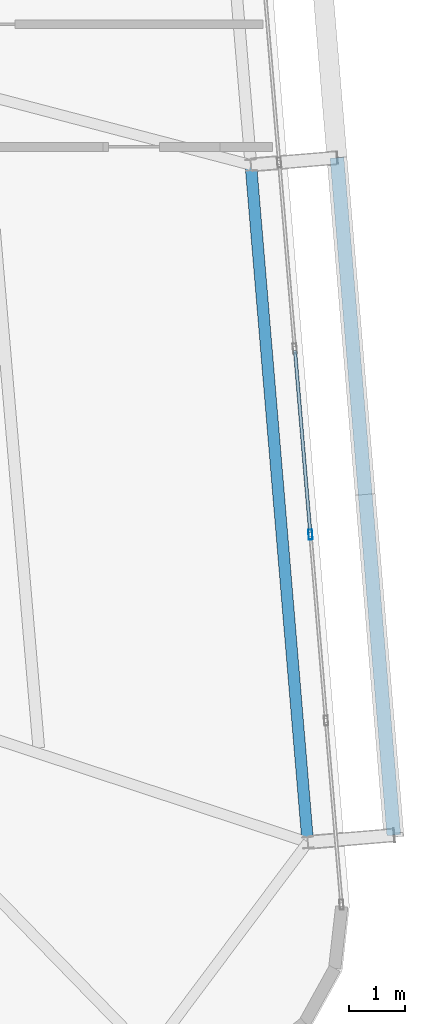
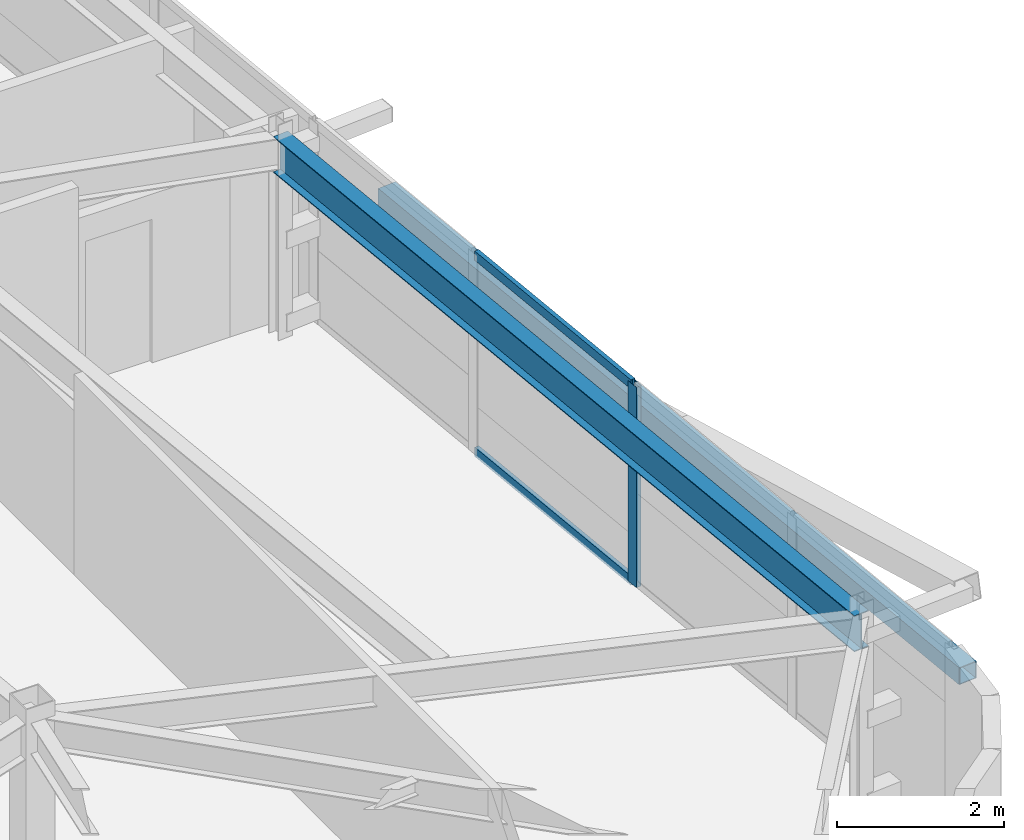
# One storey, part 23 of 46: 4 members, 1 beam, 1 element without a shape of its own.
"""IFC4 building model written with IfcOpenShell, lengths in metres."""

import ifcopenshell
import ifcopenshell.guid

model = None  # the IFC model being written
_history = None  # IfcOwnerHistory: only IFC2X3 demands one
_inside = {}  # id of a spatial element -> (the spatial element, [elements in it])
_under = {}  # id of a project, library or spatial element -> (it, [spatial elements below it])
_declared = {}  # id of a project -> (the project, [libraries it declares])
_typed = {}  # id of a type object -> (the type object, [elements of that type])
_made_of = {}  # id of a material, layer set ... -> (it, [elements and type objects made of it])


def new_model(schema):
    """Start an empty IFC model of exactly this schema.

    Asked for "IFC4X3", IfcOpenShell would pick the latest addendum, in which some entities
    have other attributes; the version numbers below select the first issue.
    IFC2X3 requires an IfcOwnerHistory on every rooted entity: one is made here for all.
    """
    global model, _history
    if schema == "IFC4X3":
        model = ifcopenshell.file(schema_version=(4, 3, 0, 0))
    else:
        model = ifcopenshell.file(schema=schema)
    _inside.clear()
    _under.clear()
    _declared.clear()
    _typed.clear()
    _made_of.clear()
    _history = None
    if model.schema == "IFC2X3":
        org = make("IfcOrganization", Name="unknown")
        user = make(
            "IfcPersonAndOrganization",
            ThePerson=make("IfcPerson", FamilyName="unknown"),
            TheOrganization=org,
        )
        app = make(
            "IfcApplication",
            ApplicationDeveloper=org,
            Version="unknown",
            ApplicationFullName="unknown",
            ApplicationIdentifier="unknown",
        )
        _history = make(
            "IfcOwnerHistory",
            OwningUser=user,
            OwningApplication=app,
            ChangeAction="ADDED",
            CreationDate=0,
        )
    return model


def make(cls, **values):
    """One entity of the class cls with the attributes given. An attribute that is None is left unset."""
    return model.create_entity(
        cls, **{name: value for name, value in values.items() if value is not None}
    )


def rooted(cls, **values):
    """An entity with a GlobalId (a new one), such as an element, a storey or a relation."""
    return make(cls, GlobalId=ifcopenshell.guid.new(), OwnerHistory=_history, **values)


def si_unit(unit_type, name, prefix=None):
    """IfcSIUnit, for example si_unit("LENGTHUNIT", "METRE", prefix="MILLI")."""
    return make("IfcSIUnit", UnitType=unit_type, Prefix=prefix, Name=name)


def assignment(units):
    """IfcUnitAssignment: the units of a project."""
    return None if units is None else make("IfcUnitAssignment", Units=units)


def point(xyz):
    """IfcCartesianPoint."""
    return None if xyz is None else make("IfcCartesianPoint", Coordinates=xyz)


def direction(xyz):
    """IfcDirection."""
    return None if xyz is None else make("IfcDirection", DirectionRatios=xyz)


def frame(location, z_axis=None, x_axis=None):
    """IfcAxis2Placement3D, a coordinate frame: its origin and axes. An axis left out is left unset."""
    return make(
        "IfcAxis2Placement3D",
        Location=point(location),
        Axis=direction(z_axis),
        RefDirection=direction(x_axis),
    )


def frame_2d(location, x_axis=None):
    """IfcAxis2Placement2D, a coordinate frame in the plane: its origin and x axis."""
    return make(
        "IfcAxis2Placement2D", Location=point(location), RefDirection=direction(x_axis)
    )


def origin():
    """The frame at (0, 0, 0) with its axes left unset."""
    return frame((0.0, 0.0, 0.0))


def origin_2d():
    """The frame at (0, 0) in the plane with its x axis left unset."""
    return frame_2d((0.0, 0.0))


def place(relative_to, where):
    """IfcLocalPlacement: puts the frame where relative to a parent placement (None: the world)."""
    return make(
        "IfcLocalPlacement", PlacementRelTo=relative_to, RelativePlacement=where
    )


def context(
    kind, dimensions, precision=None, world=None, true_north=None, identifier=None
):
    """IfcGeometricRepresentationContext, for example the 3D "Model" context."""
    return make(
        "IfcGeometricRepresentationContext",
        ContextIdentifier=identifier,
        ContextType=kind,
        CoordinateSpaceDimension=dimensions,
        Precision=precision,
        WorldCoordinateSystem=world,
        TrueNorth=true_north,
    )


def subcontext(parent, identifier, kind, view, scale=None):
    """IfcGeometricRepresentationSubContext, for example "Body" below "Model"."""
    return make(
        "IfcGeometricRepresentationSubContext",
        ContextIdentifier=identifier,
        ContextType=kind,
        ParentContext=parent,
        TargetScale=scale,
        TargetView=view,
    )


def project(units=None, contexts=None):
    """IfcProject with its units and contexts."""
    return rooted(
        "IfcProject",
        Name="project",
        RepresentationContexts=contexts,
        UnitsInContext=assignment(units),
    )


def spatial(cls, under=None, at=None, **own):
    """A site, building, storey or space (cls), placed at a placement, below another one or the project."""
    s = rooted(cls, ObjectPlacement=at, **own)
    if under is not None:
        _under.setdefault(under.id(), (under, []))[1].append(s)
    return s


def profile(cls, at=None, kind="AREA", **sizes):
    """A parametric profile (cls). Its sizes go by their IFC names, for example OverallWidth=200.0."""
    return make(cls, ProfileType=kind, Position=at, **sizes)


def hollow_rectangle(**sizes):
    """IfcRectangleHollowProfileDef."""
    return profile("IfcRectangleHollowProfileDef", **sizes)


def i_section(**sizes):
    """IfcIShapeProfileDef."""
    return profile("IfcIShapeProfileDef", **sizes)


def extrude(swept, where, along, depth):
    """IfcExtrudedAreaSolid: the profile swept, set in the frame where, extruded along a direction by depth."""
    return make(
        "IfcExtrudedAreaSolid",
        SweptArea=swept,
        Position=where,
        ExtrudedDirection=direction(along),
        Depth=depth,
    )


def shape(context_of_items, identifier, shape_type, items):
    """IfcShapeRepresentation: the items that make up one representation, for example the "Body"."""
    return make(
        "IfcShapeRepresentation",
        ContextOfItems=context_of_items,
        RepresentationIdentifier=identifier,
        RepresentationType=shape_type,
        Items=items,
    )


def source(mapping_origin, context_of_items, identifier, shape_type, items):
    """IfcRepresentationMap: a shape defined once, which mapped items show again and again."""
    return make(
        "IfcRepresentationMap",
        MappingOrigin=mapping_origin,
        MappedRepresentation=shape(context_of_items, identifier, shape_type, items),
    )


def transform(
    local_origin,
    x_axis=None,
    y_axis=None,
    z_axis=None,
    scale=None,
    scale2=None,
    scale3=None,
    uniform=True,
):
    """IfcCartesianTransformationOperator3D, or its non-uniform kind. x_axis, y_axis, z_axis: its Axis1, 2, 3."""
    if uniform:
        return make(
            "IfcCartesianTransformationOperator3D",
            Axis1=direction(x_axis),
            Axis2=direction(y_axis),
            LocalOrigin=point(local_origin),
            Scale=scale,
            Axis3=direction(z_axis),
        )
    return make(
        "IfcCartesianTransformationOperator3DnonUniform",
        Axis1=direction(x_axis),
        Axis2=direction(y_axis),
        LocalOrigin=point(local_origin),
        Scale=scale,
        Axis3=direction(z_axis),
        Scale2=scale2,
        Scale3=scale3,
    )


def mapped(mapping_source, mapping_target):
    """IfcMappedItem: shows the shape of a source again, moved by a transform."""
    return make(
        "IfcMappedItem", MappingSource=mapping_source, MappingTarget=mapping_target
    )


def material(Name=None, Category=None):
    """IfcMaterial."""
    return make("IfcMaterial", Name=Name, Category=Category)


def layer(
    of_material, thickness, ventilated=None, Name=None, Category=None, Priority=None
):
    """IfcMaterialLayer: one layer of a wall or slab, of a material (None: an air gap)."""
    return make(
        "IfcMaterialLayer",
        Material=of_material,
        LayerThickness=thickness,
        IsVentilated=ventilated,
        Name=Name,
        Category=Category,
        Priority=Priority,
    )


def layer_set(layers, Name=None):
    """IfcMaterialLayerSet."""
    return make("IfcMaterialLayerSet", MaterialLayers=layers, LayerSetName=Name)


def material_profile(
    of_material, cross_section, Name=None, Category=None, Priority=None
):
    """IfcMaterialProfile: a cross section and its material."""
    return make(
        "IfcMaterialProfile",
        Name=Name,
        Material=of_material,
        Profile=cross_section,
        Priority=Priority,
        Category=Category,
    )


def profile_set(profiles, Name=None, composite=None):
    """IfcMaterialProfileSet."""
    return make(
        "IfcMaterialProfileSet",
        Name=Name,
        MaterialProfiles=profiles,
        CompositeProfile=composite,
    )


def made_of(thing, what):
    """Note that an element or type object is made of a material, layer set ...; save() writes the relation."""
    if what is not None:
        _made_of.setdefault(what.id(), (what, []))[1].append(thing)
    return thing


def type_object(cls, material=None, **own):
    """A type object (cls), such as IfcWallType, which elements share."""
    return made_of(rooted(cls, **own), material)


def element(
    cls,
    number,
    at=None,
    inside=None,
    cuts=None,
    type_object=None,
    material=None,
    context=None,
    identifier="Body",
    shape_type=None,
    held_by="IfcProductDefinitionShape",
    body=None,
    shapes=None,
    **own,
):
    """One element of the class cls, such as IfcWall. Its Tag is "e" and its number.

    at: its placement. inside: the storey or other place that contains it. cuts: it is an
    opening in that element (IfcRelVoidsElement). A single representation is given by context,
    identifier, shape_type and body (its items); several are given by shapes. held_by: the class
    of the entity that holds the representations. save() writes the other relations.
    """
    e = rooted(cls, Tag="e%d" % number, ObjectPlacement=at, **own)
    if body is not None:
        shapes = [shape(context, identifier, shape_type, body)]
    if shapes is not None:
        e.Representation = make(held_by, Representations=shapes)
    if inside is not None:
        _inside.setdefault(inside.id(), (inside, []))[1].append(e)
    if cuts is not None:
        rooted(
            "IfcRelVoidsElement", RelatingBuildingElement=cuts, RelatedOpeningElement=e
        )
    if type_object is not None:
        _typed.setdefault(type_object.id(), (type_object, []))[1].append(e)
    return made_of(e, material)


def aggregate(whole, parts):
    """IfcRelAggregates: a whole, such as a stair, and the parts it consists of."""
    return rooted("IfcRelAggregates", RelatingObject=whole, RelatedObjects=parts)


def save(model, path):
    """Write the relations noted so far, then the file.

    IfcRelAggregates (storeys below a building ...), IfcRelContainedInSpatialStructure (elements
    in a storey), IfcRelDefinesByType, IfcRelAssociatesMaterial and IfcRelDeclares: one each for
    every whole, place, type object, material and project.
    """
    for whole, parts in _under.values():
        aggregate(whole, parts)
    for where, things in _inside.values():
        rooted(
            "IfcRelContainedInSpatialStructure",
            RelatedElements=things,
            RelatingStructure=where,
        )
    for kind, things in _typed.values():
        rooted("IfcRelDefinesByType", RelatedObjects=things, RelatingType=kind)
    for what, things in _made_of.values():
        rooted("IfcRelAssociatesMaterial", RelatedObjects=things, RelatingMaterial=what)
    for by, libraries in _declared.values():
        rooted("IfcRelDeclares", RelatingContext=by, RelatedDefinitions=libraries)
    model.write(path)


model = new_model("IFC4")

# Units and contexts
model_context = context("Model", 3, precision=1e-05, world=origin(), true_north=direction((0.0, 1.0)))
body_context = subcontext(model_context, "Body", "Model", "MODEL_VIEW")
ifc_project = project(units=[si_unit("LENGTHUNIT", "METRE"), si_unit("AREAUNIT", "SQUARE_METRE"), si_unit("VOLUMEUNIT", "CUBIC_METRE"), si_unit("PLANEANGLEUNIT", "RADIAN"), si_unit("MASSUNIT", "GRAM", prefix="KILO")], contexts=[model_context])

# Site, building, storey
site_placement = place(None, origin())
site = spatial("IfcSite", under=ifc_project, at=site_placement, CompositionType="ELEMENT")
building_placement = place(site_placement, origin())
building = spatial("IfcBuilding", under=site, at=building_placement, Name="Taldren Reach Tower", CompositionType="ELEMENT")
storey_placement = place(building_placement, frame((0.0, 0.0, 194.60009765625)))
storey = spatial("IfcBuildingStorey", under=building, at=storey_placement, Name="L59", CompositionType="ELEMENT", Elevation=194.60009765625)

# Beam
ifc_material_1 = material(Name="Steel Gr 350 (350PLUS)", Category="steel")
ifc_material_profile_1 = material_profile(ifc_material_1, i_section(OverallWidth=0.208984375, OverallDepth=0.528076171875, WebThickness=0.009521484375, FlangeThickness=0.01318359375, at=origin_2d()), Name="530UB82.0")
ifc_profile_set_1 = profile_set([ifc_material_profile_1], Name="Steel Gr 350 (350PLUS)")
beam_type = type_object("IfcBeamType", Name="SP-UB530B", PredefinedType="SPANDREL", material=ifc_profile_set_1)
shared_shape_1 = source(origin(), body_context, "Body", "SweptSolid", [
    extrude(i_section(OverallWidth=0.208984375, OverallDepth=0.528076171875, WebThickness=0.009521484375, FlangeThickness=0.01318359375, at=origin_2d()), origin(), (0.0, 0.0, 1.0), 12.199951171875),
])
beam_placement = place(storey_placement, frame((61.63818359375, 9.317626953125, 2.666015625), z_axis=(-0.083688038336, 0.996492003099, 0.0), x_axis=(-0.996492003099, -0.083688038336, 0.0)))
element("IfcBeam", 1, at=beam_placement, inside=storey, type_object=beam_type, Name="Perimeter spandrel B4 E1-E2 L59", PredefinedType="SPANDREL", context=body_context, shape_type="MappedRepresentation", body=[
    mapped(shared_shape_1, transform((0.0, 0.0, 0.0), scale=1.0)),
])

# Member
ifc_material_2 = material(Name="Steel Gr 350 (C350L0)", Category="steel")
ifc_material_profile_2 = material_profile(ifc_material_2, hollow_rectangle(XDim=0.25, YDim=0.25, WallThickness=0.010009765625, at=origin_2d()), Name="250x250x10.0SHS")
ifc_profile_set_2 = profile_set([ifc_material_profile_2], Name="Steel Gr 350 (C350L0)")
member_type_1 = type_object("IfcMemberType", Name="MB-POST250", PredefinedType="POST", material=ifc_profile_set_2)
shared_shape_2 = source(origin(), body_context, "Body", "SweptSolid", [
    extrude(hollow_rectangle(XDim=0.25, YDim=0.25, WallThickness=0.010009765625, at=origin_2d()), origin(), (0.0, 0.0, 1.0), 12.199951171875),
])
member_1_placement = place(storey_placement, frame((63.1826171875, 9.447265625, 1.434814453125), z_axis=(-0.083668166953, 0.99649367175, 0.0), x_axis=(-0.99649367175, -0.083668166953, 0.0)))
element("IfcMember", 2, at=member_1_placement, inside=storey, type_object=member_type_1, Name="Exoskeleton mid-height ring chord B4-E1 L59", PredefinedType="POST", context=body_context, shape_type="MappedRepresentation", body=[
    mapped(shared_shape_2, transform((0.0, 0.0, 0.0), scale=1.0)),
])

# Curtain wall, members
ifc_material_3 = material(Name="Aluminium and Low-E Glass Unitised System", Category="aluminium")
ifc_layer = layer(ifc_material_3, 0.159912109375)
ifc_layer_set = layer_set([ifc_layer], Name="Aluminium and Low-E Glass Unitised System")
curtain_wall_type = type_object("IfcCurtainWallType", Name="CW-SYS-5", PredefinedType="NOTDEFINED", material=ifc_layer_set)
curtain_wall_placement = place(storey_placement, origin())
curtain_wall = element("IfcCurtainWall", 3, at=curtain_wall_placement, inside=storey, type_object=curtain_wall_type, Name="Unitised curtain wall CW-L59-E", PredefinedType="NOTDEFINED")
ifc_material_4 = material(Name="Anodised Aluminium 6063-T6", Category="aluminium")
ifc_material_profile_3 = material_profile(ifc_material_4, hollow_rectangle(XDim=0.070068359375, YDim=0.179931640625, WallThickness=0.00390625, at=origin_2d()), Name="ALU-180x70x4RHS")
ifc_profile_set_3 = profile_set([ifc_material_profile_3], Name="Anodised Aluminium 6063-T6")
member_type_2 = type_object("IfcMemberType", Name="CW-MUL-180", PredefinedType="MULLION", material=ifc_profile_set_3)
shared_shape_3 = source(origin(), body_context, "Body", "SweptSolid", [
    extrude(hollow_rectangle(XDim=0.070068359375, YDim=0.179931640625, WallThickness=0.00390625, at=origin_2d()), origin(), (0.0, 0.0, 1.0), 2.929931640625),
])
member_2_placement = place(storey_placement, frame((61.68603515625, 14.841064453125, 0.0), z_axis=(0.0, 0.0, 1.0), x_axis=(-0.996492847789, -0.083677979808, 0.0)))
member_2 = element("IfcMember", 4, at=member_2_placement, type_object=member_type_2, Name="CW-5 mullion 3", PredefinedType="MULLION", context=body_context, shape_type="MappedRepresentation", body=[
    mapped(shared_shape_3, transform((0.0, 0.0, 0.0), scale=1.0)),
])
ifc_material_profile_4 = material_profile(ifc_material_4, hollow_rectangle(XDim=0.06005859375, YDim=0.135009765625, WallThickness=0.00341796875, at=origin_2d()), Name="ALU-135x60x3.5RHS")
ifc_profile_set_4 = profile_set([ifc_material_profile_4], Name="Anodised Aluminium 6063-T6")
member_type_3 = type_object("IfcMemberType", Name="CW-TRN-150", PredefinedType="USERDEFINED", material=ifc_profile_set_4)
shared_shape_4 = source(origin(), body_context, "Body", "SweptSolid", [
    extrude(hollow_rectangle(XDim=0.06005859375, YDim=0.135009765625, WallThickness=0.00341796875, at=origin_2d()), origin(), (0.0, 0.0, 1.0), 3.280029296875),
])
member_3_placement = place(storey_placement, frame((61.68310546875, 14.875732421875, 0.02978515625), z_axis=(-0.083661452101, 0.996494235524, 0.0), x_axis=(-0.996494235524, -0.083661452101, 0.0)))
member_3 = element("IfcMember", 5, at=member_3_placement, type_object=member_type_3, Name="CW-5 transom 3.1", ObjectType="TRANSOM", PredefinedType="USERDEFINED", context=body_context, shape_type="MappedRepresentation", body=[
    mapped(shared_shape_4, transform((0.0, 0.0, 0.0), scale=1.0)),
])
member_4_placement = place(storey_placement, frame((61.68310546875, 14.875732421875, 2.89990234375), z_axis=(-0.083661452101, 0.996494235524, 0.0), x_axis=(-0.996494235524, -0.083661452101, 0.0)))
member_4 = element("IfcMember", 6, at=member_4_placement, type_object=member_type_3, Name="CW-5 transom 3.2", ObjectType="TRANSOM", PredefinedType="USERDEFINED", context=body_context, shape_type="MappedRepresentation", body=[
    mapped(shared_shape_4, transform((0.0, 0.0, 0.0), scale=1.0)),
])
aggregate(curtain_wall, [member_2, member_3, member_4])

save(model, "model.ifc")
